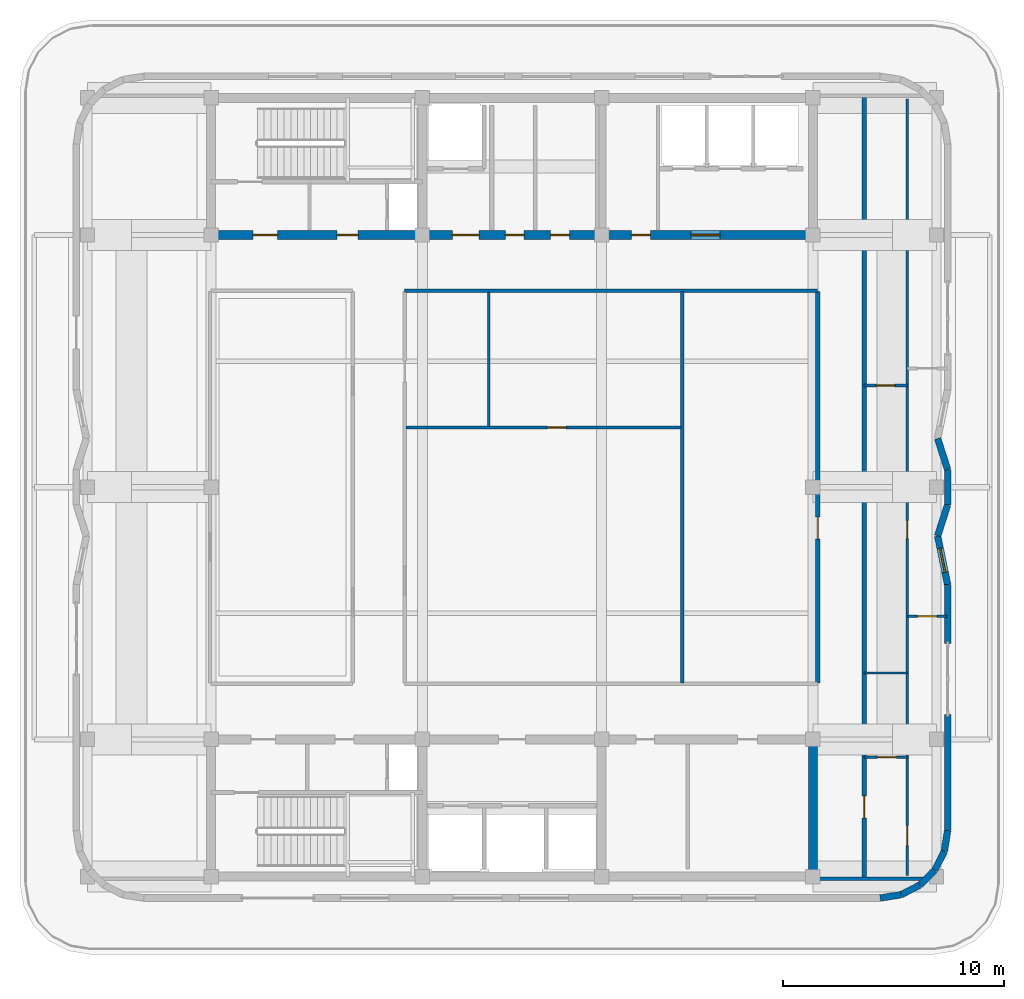
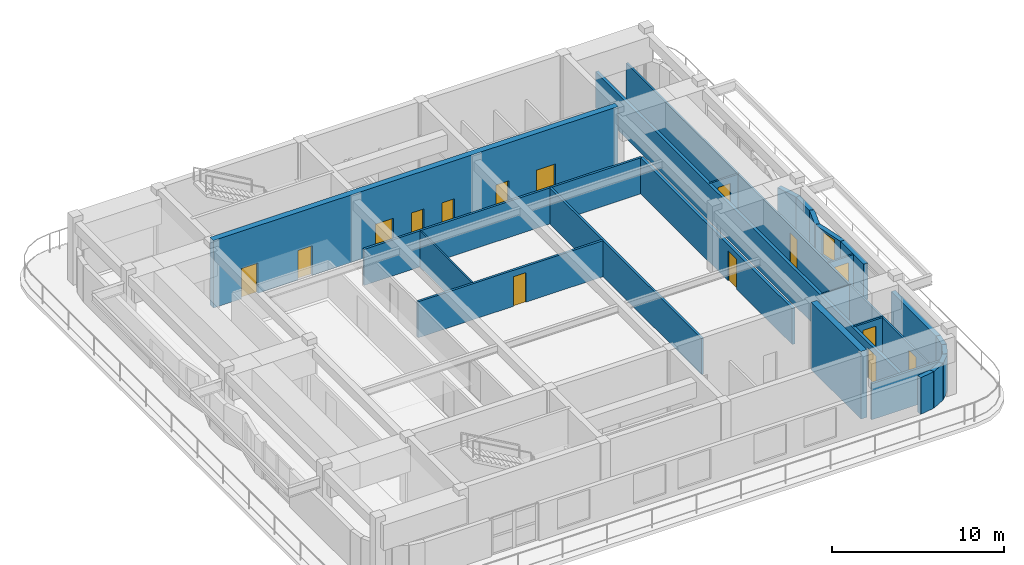
# One storey, part 7 of 12: 25 walls, 15 doors, 1 window, 16 openings.
"""IFC4 building model written with IfcOpenShell, lengths in metres."""

from ifc_helpers import new_model, si_unit, direction, frame, frame_2d, origin, place, context, subcontext, project, spatial, rectangle, extrude, material, layer, layer_set, type_object, element, fill, save


model = new_model("IFC4")

# Units and contexts
model_context = context("Model", 3, precision=1e-05, world=origin(), true_north=direction((0.0, 1.0)))
body_context = subcontext(model_context, "Body", "Model", "MODEL_VIEW")
ifc_project = project(units=[si_unit("LENGTHUNIT", "METRE"), si_unit("AREAUNIT", "SQUARE_METRE"), si_unit("VOLUMEUNIT", "CUBIC_METRE"), si_unit("PLANEANGLEUNIT", "RADIAN"), si_unit("MASSUNIT", "GRAM", prefix="KILO")], contexts=[model_context])

# Site, building, storey
site_placement = place(None, origin())
site = spatial("IfcSite", under=ifc_project, at=site_placement, CompositionType="ELEMENT")
building_placement = place(site_placement, origin())
building = spatial("IfcBuilding", under=site, at=building_placement, Name="Svetorya Sky Lyceum", CompositionType="ELEMENT")
storey_placement = place(building_placement, frame((0.0, 0.0, 297.199951171875)))
storey = spatial("IfcBuildingStorey", under=building, at=storey_placement, Name="L75", CompositionType="ELEMENT", Elevation=297.199951171875)

# Wall
ifc_material_1 = material(Name="Concrete C40/50", Category="concrete")
ifc_layer_1 = layer(ifc_material_1, 0.39990234375)
ifc_layer_set_1 = layer_set([ifc_layer_1], Name="Concrete C40/50")
wall_type_1 = type_object("IfcWallType", Name="WL-CORE-400", PredefinedType="SHEAR", material=ifc_layer_set_1)
wall_1_placement = place(storey_placement, frame((52.800048828125, 10.800048828125, 0.0), z_axis=(0.0, 0.0, 1.0), x_axis=(0.0, 1.0, 0.0)))
element("IfcWall", 1, at=wall_1_placement, inside=storey, type_object=wall_type_1, Name="L75 SC East Core Shear Wall", PredefinedType="SHEAR", context=body_context, shape_type="SweptSolid", body=[
    extrude(rectangle(XDim=5.800048828125, YDim=0.39990234375, at=frame_2d((2.89990234375, 0.0))), origin(), (0.0, 0.0, 1.0), 4.800048828125),
])

# Wall, openings, doors
wall_2_placement = place(storey_placement, frame((52.800048828125, 39.60009765625, 0.0), z_axis=(0.0, 0.0, 1.0), x_axis=(-1.0, 0.0, 0.0)))
wall_2 = element("IfcWall", 2, at=wall_2_placement, inside=storey, type_object=wall_type_1, Name="L75 NC Inner Core Shear Wall", PredefinedType="SHEAR", context=body_context, shape_type="SweptSolid", body=[
    extrude(rectangle(XDim=27.199951171875, YDim=0.39990234375, at=frame_2d((13.60009765625, 0.0))), origin(), (0.0, 0.0, 1.0), 4.800048828125),
])
opening_1_placement = place(wall_2_placement, frame((24.199951171875, 0.0, 0.0)))
opening_1 = element("IfcOpeningElement", 3, at=opening_1_placement, cuts=wall_2, Name="Opening D-ST1", PredefinedType="OPENING", context=body_context, shape_type="SweptSolid", body=[
    extrude(rectangle(XDim=1.10009765625, YDim=2.14990234375, at=frame_2d((0.550048828125, 1.074951171875))), frame((0.0, 0.2099609375, 0.0), z_axis=(0.0, -1.0, 0.0), x_axis=(1.0, 0.0, 0.0)), (0.0, 0.0, 1.0), 0.419921875),
])
opening_2_placement = place(wall_2_placement, frame((20.550048828125, 0.0, 0.0)))
opening_2 = element("IfcOpeningElement", 4, at=opening_2_placement, cuts=wall_2, Name="Opening D-CAC1", PredefinedType="OPENING", context=body_context, shape_type="SweptSolid", body=[
    extrude(rectangle(XDim=0.949951171875, YDim=2.10009765625, at=frame_2d((0.47509765625, 1.050048828125))), frame((0.0, 0.2099609375, 0.0), z_axis=(0.0, -1.0, 0.0), x_axis=(1.0, 0.0, 0.0)), (0.0, 0.0, 1.0), 0.419921875),
])
opening_3_placement = place(wall_2_placement, frame((15.10009765625, 0.0, 0.0)))
opening_3 = element("IfcOpeningElement", 5, at=opening_3_placement, cuts=wall_2, Name="Opening D-FL1", PredefinedType="OPENING", context=body_context, shape_type="SweptSolid", body=[
    extrude(rectangle(XDim=1.199951171875, YDim=2.14990234375, at=frame_2d((0.60009765625, 1.074951171875))), frame((0.0, 0.2099609375, 0.0), z_axis=(0.0, -1.0, 0.0), x_axis=(1.0, 0.0, 0.0)), (0.0, 0.0, 1.0), 0.419921875),
])
opening_4_placement = place(wall_2_placement, frame((13.050048828125, 0.0, 0.0)))
opening_4 = element("IfcOpeningElement", 6, at=opening_4_placement, cuts=wall_2, Name="Opening D-CWC1", PredefinedType="OPENING", context=body_context, shape_type="SweptSolid", body=[
    extrude(rectangle(XDim=0.85009765625, YDim=2.10009765625, at=frame_2d((0.425048828125, 1.050048828125))), frame((0.0, 0.2099609375, 0.0), z_axis=(0.0, -1.0, 0.0), x_axis=(1.0, 0.0, 0.0)), (0.0, 0.0, 1.0), 0.419921875),
])
opening_5_placement = place(wall_2_placement, frame((11.0, 0.0, 0.0)))
opening_5 = element("IfcOpeningElement", 7, at=opening_5_placement, cuts=wall_2, Name="Opening D-CWC1", PredefinedType="OPENING", context=body_context, shape_type="SweptSolid", body=[
    extrude(rectangle(XDim=0.85009765625, YDim=2.10009765625, at=frame_2d((0.425048828125, 1.050048828125))), frame((0.0, 0.2099609375, 0.0), z_axis=(0.0, -1.0, 0.0), x_axis=(1.0, 0.0, 0.0)), (0.0, 0.0, 1.0), 0.419921875),
])
opening_6_placement = place(wall_2_placement, frame((7.35009765625, 0.0, 0.0)))
opening_6 = element("IfcOpeningElement", 8, at=opening_6_placement, cuts=wall_2, Name="Opening D-CWC1", PredefinedType="OPENING", context=body_context, shape_type="SweptSolid", body=[
    extrude(rectangle(XDim=0.85009765625, YDim=2.10009765625, at=frame_2d((0.425048828125, 1.050048828125))), frame((0.0, 0.2099609375, 0.0), z_axis=(0.0, -1.0, 0.0), x_axis=(1.0, 0.0, 0.0)), (0.0, 0.0, 1.0), 0.419921875),
])
opening_7_placement = place(wall_2_placement, frame((4.199951171875, 0.0, 0.0)))
opening_7 = element("IfcOpeningElement", 9, at=opening_7_placement, cuts=wall_2, Name="Opening D-LB1", PredefinedType="OPENING", context=body_context, shape_type="SweptSolid", body=[
    extrude(rectangle(XDim=1.300048828125, YDim=2.199951171875, at=frame_2d((0.64990234375, 1.10009765625))), frame((0.0, 0.2099609375, 0.0), z_axis=(0.0, -1.0, 0.0), x_axis=(1.0, 0.0, 0.0)), (0.0, 0.0, 1.0), 0.419921875),
])
ifc_material_2 = material(Name="Fire-rated galvanized steel core accessible WC door", Category="steel")
door_type_1 = type_object("IfcDoorType", Name="DR-CACC-950", OperationType="SINGLE_SWING_LEFT", PredefinedType="DOOR", material=ifc_material_2)
door_1_placement = place(opening_2_placement, origin())
door_1 = element("IfcDoor", 10, at=door_1_placement, inside=storey, type_object=door_type_1, Name="L75 North Core Accessible WC Door", OperationType="SINGLE_SWING_RIGHT", OverallHeight=2.10009765625, OverallWidth=0.949951171875, PredefinedType="DOOR", context=body_context, shape_type="SweptSolid", body=[
    extrude(rectangle(XDim=0.949951171875, YDim=2.10009765625, at=frame_2d((0.47509765625, 1.050048828125))), frame((0.0, 0.02490234375, 0.0), z_axis=(0.0, -1.0, 0.0), x_axis=(1.0, 0.0, 0.0)), (0.0, 0.0, 1.0), 0.050048828125),
])
fill(opening_2, door_1)
ifc_material_3 = material(Name="Fire-rated galvanized steel core service closet door", Category="steel")
door_type_2 = type_object("IfcDoorType", Name="DR-CWET-850", OperationType="SINGLE_SWING_LEFT", PredefinedType="DOOR", material=ifc_material_3)
door_2_placement = place(opening_4_placement, origin())
door_2 = element("IfcDoor", 11, at=door_2_placement, inside=storey, type_object=door_type_2, Name="L75 Upper Linen Door", OperationType="SINGLE_SWING_LEFT", OverallHeight=2.10009765625, OverallWidth=0.85009765625, PredefinedType="DOOR", context=body_context, shape_type="SweptSolid", body=[
    extrude(rectangle(XDim=0.85009765625, YDim=2.10009765625, at=frame_2d((0.425048828125, 1.050048828125))), frame((0.0, 0.02490234375, 0.0), z_axis=(0.0, -1.0, 0.0), x_axis=(1.0, 0.0, 0.0)), (0.0, 0.0, 1.0), 0.050048828125),
])
fill(opening_4, door_2)
door_3_placement = place(opening_5_placement, origin())
door_3 = element("IfcDoor", 12, at=door_3_placement, inside=storey, type_object=door_type_2, Name="L75 Upper Laundry Door", OperationType="SINGLE_SWING_RIGHT", OverallHeight=2.10009765625, OverallWidth=0.85009765625, PredefinedType="DOOR", context=body_context, shape_type="SweptSolid", body=[
    extrude(rectangle(XDim=0.85009765625, YDim=2.10009765625, at=frame_2d((0.425048828125, 1.050048828125))), frame((0.0, 0.02490234375, 0.0), z_axis=(0.0, -1.0, 0.0), x_axis=(1.0, 0.0, 0.0)), (0.0, 0.0, 1.0), 0.050048828125),
])
fill(opening_5, door_3)
door_4_placement = place(opening_6_placement, origin())
door_4 = element("IfcDoor", 13, at=door_4_placement, inside=storey, type_object=door_type_2, Name="L75 High-Zone Utility Room Door", OperationType="SINGLE_SWING_LEFT", OverallHeight=2.10009765625, OverallWidth=0.85009765625, PredefinedType="DOOR", context=body_context, shape_type="SweptSolid", body=[
    extrude(rectangle(XDim=0.85009765625, YDim=2.10009765625, at=frame_2d((0.425048828125, 1.050048828125))), frame((0.0, 0.02490234375, 0.0), z_axis=(0.0, -1.0, 0.0), x_axis=(1.0, 0.0, 0.0)), (0.0, 0.0, 1.0), 0.050048828125),
])
fill(opening_6, door_4)
ifc_material_4 = material(Name="Powder-coated insulated galvanized stair fire door")
door_type_3 = type_object("IfcDoorType", Name="DR-FIRE-1100", OperationType="SINGLE_SWING_LEFT", PredefinedType="DOOR", material=ifc_material_4)
door_5_placement = place(opening_1_placement, origin())
door_5 = element("IfcDoor", 14, at=door_5_placement, inside=storey, type_object=door_type_3, Name="L75 North Stair Airlock Door", OperationType="SINGLE_SWING_LEFT", OverallHeight=2.14990234375, OverallWidth=1.10009765625, PredefinedType="DOOR", context=body_context, shape_type="SweptSolid", body=[
    extrude(rectangle(XDim=1.10009765625, YDim=2.14990234375, at=frame_2d((0.550048828125, 1.074951171875))), frame((0.0, 0.02490234375, 0.0), z_axis=(0.0, -1.0, 0.0), x_axis=(1.0, 0.0, 0.0)), (0.0, 0.0, 1.0), 0.050048828125),
])
fill(opening_1, door_5)
ifc_material_5 = material(Name="Powder-coated insulated galvanized fire door")
door_type_4 = type_object("IfcDoorType", Name="DR-FIRE-1200", OperationType="SINGLE_SWING_LEFT", PredefinedType="DOOR", material=ifc_material_5)
door_6_placement = place(opening_3_placement, origin())
door_6 = element("IfcDoor", 15, at=door_6_placement, inside=storey, type_object=door_type_4, Name="L75 North Firefighting Lift Lobby Door", OperationType="SINGLE_SWING_RIGHT", OverallHeight=2.14990234375, OverallWidth=1.199951171875, PredefinedType="DOOR", context=body_context, shape_type="SweptSolid", body=[
    extrude(rectangle(XDim=1.199951171875, YDim=2.14990234375, at=frame_2d((0.60009765625, 1.074951171875))), frame((0.0, 0.02490234375, 0.0), z_axis=(0.0, -1.0, 0.0), x_axis=(1.0, 0.0, 0.0)), (0.0, 0.0, 1.0), 0.050048828125),
])
fill(opening_3, door_6)
ifc_material_6 = material(Name="Glazed fire-rated aluminium lobby door", Category="aluminium")
door_type_5 = type_object("IfcDoorType", Name="DR-LOB-1300", OperationType="SINGLE_SWING_LEFT", PredefinedType="DOOR", material=ifc_material_6)
door_7_placement = place(opening_7_placement, origin())
door_7 = element("IfcDoor", 16, at=door_7_placement, inside=storey, type_object=door_type_5, Name="L75 North Passenger Lift Lobby Door", OperationType="SINGLE_SWING_LEFT", OverallHeight=2.199951171875, OverallWidth=1.300048828125, PredefinedType="DOOR", context=body_context, shape_type="SweptSolid", body=[
    extrude(rectangle(XDim=1.300048828125, YDim=2.199951171875, at=frame_2d((0.64990234375, 1.10009765625))), frame((0.0, 0.02490234375, 0.0), z_axis=(0.0, -1.0, 0.0), x_axis=(1.0, 0.0, 0.0)), (0.0, 0.0, 1.0), 0.050048828125),
])
fill(opening_7, door_7)

# Walls
ifc_material_7 = material(Name="Putilovo limestone rainscreen on autoclaved cellular masonry", Category="masonry")
ifc_layer_2 = layer(ifc_material_7, 0.300048828125)
ifc_layer_set_2 = layer_set([ifc_layer_2], Name="Putilovo limestone rainscreen on autoclaved cellular masonry")
wall_type_2 = type_object("IfcWallType", Name="WL-EXT-300", PredefinedType="SOLIDWALL", material=ifc_layer_set_2)
wall_3_placement = place(storey_placement, frame((55.840087890625, 9.6298828125, 0.0), z_axis=(0.0, 0.0, 1.0), x_axis=(0.987663181641, 0.156593229835, 0.0)))
element("IfcWall", 17, at=wall_3_placement, inside=storey, type_object=wall_type_2, Name="L75 Limestone Exterior Wall 7M", PredefinedType="SOLIDWALL", context=body_context, shape_type="SweptSolid", body=[
    extrude(rectangle(XDim=0.9541015625, YDim=0.300048828125, at=frame_2d((0.47705078125, 0.0))), origin(), (0.0, 0.0, 1.0), 2.60009765625),
])
for number, where, z_axis, x_axis, name in (
    (18, (56.782470703125, 9.779296875, 0.0), (0.0, 0.0, 1.0), (0.891076589373, 0.453852962833, 0.0), "L75 Limestone Exterior Wall 8M"),
    (19, (57.6328125, 10.21240234375, 0.0), (0.0, 0.0, 1.0), (0.707106781187, 0.707106781187, 0.0), "L75 Limestone Exterior Wall 9M"),
    (20, (58.3076171875, 10.88720703125, 0.0), (0.0, 0.0, 1.0), (0.453852962833, 0.891076589373, 0.0), "L75 Limestone Exterior Wall 10M"),
):
    element("IfcWall", number, at=place(storey_placement, frame(where, z_axis=z_axis, x_axis=x_axis)), inside=storey, type_object=wall_type_2, Name=name, PredefinedType="SOLIDWALL", context=body_context, shape_type="SweptSolid", body=[
        extrude(rectangle(XDim=0.954345703125, YDim=0.300048828125, at=frame_2d((0.47705078125, 0.0))), origin(), (0.0, 0.0, 1.0), 2.60009765625),
    ])
wall_4_placement = place(storey_placement, frame((58.74072265625, 11.737548828125, 0.0), z_axis=(0.0, 0.0, 1.0), x_axis=(0.156343617883, 0.987702725088, 0.0)))
element("IfcWall", 21, at=wall_4_placement, inside=storey, type_object=wall_type_2, Name="L75 Limestone Exterior Wall 11M", PredefinedType="SOLIDWALL", context=body_context, shape_type="SweptSolid", body=[
    extrude(rectangle(XDim=0.9541015625, YDim=0.300048828125, at=frame_2d((0.47705078125, 0.0))), origin(), (0.0, 0.0, 1.0), 2.60009765625),
])
wall_5_placement = place(storey_placement, frame((58.889892578125, 12.679931640625, 0.0), z_axis=(0.0, 0.0, 1.0), x_axis=(0.0, 1.0, 0.0)))
element("IfcWall", 22, at=wall_5_placement, inside=storey, type_object=wall_type_2, Name="L75 Limestone Exterior Wall 12A", PredefinedType="SOLIDWALL", context=body_context, shape_type="SweptSolid", body=[
    extrude(rectangle(XDim=5.25, YDim=0.300048828125, at=frame_2d((2.625, 0.0))), origin(), (0.0, 0.0, 1.0), 2.60009765625),
])
wall_6_placement = place(storey_placement, frame((58.889892578125, 21.1298828125, 0.0), z_axis=(0.0, 0.0, 1.0), x_axis=(0.0, 1.0, 0.0)))
element("IfcWall", 23, at=wall_6_placement, inside=storey, type_object=wall_type_2, Name="L75 Limestone Exterior Wall 12B", PredefinedType="SOLIDWALL", context=body_context, shape_type="SweptSolid", body=[
    extrude(rectangle(XDim=2.670166015625, YDim=0.300048828125, at=frame_2d((1.3349609375, 0.0))), origin(), (0.0, 0.0, 1.0), 2.60009765625),
])

# Wall, opening, window
wall_7_placement = place(storey_placement, frame((58.889892578125, 23.800048828125, 0.0), z_axis=(0.0, 0.0, 1.0), x_axis=(-0.200379633636, 0.979718328104, 0.0)))
wall_7 = element("IfcWall", 24, at=wall_7_placement, inside=storey, type_object=wall_type_2, Name="L75 Limestone Exterior Wall 13M", PredefinedType="SOLIDWALL", context=body_context, shape_type="SweptSolid", body=[
    extrude(rectangle(XDim=2.24560546875, YDim=0.300048828125, at=frame_2d((1.122802734375, 0.0))), origin(), (0.0, 0.0, 1.0), 2.60009765625),
])
opening_8_placement = place(wall_7_placement, frame((0.57275390625, 0.0, 0.7900390625)))
opening_8 = element("IfcOpeningElement", 25, at=opening_8_placement, cuts=wall_7, Name="Opening W-R3", PredefinedType="OPENING", context=body_context, shape_type="SweptSolid", body=[
    extrude(rectangle(XDim=1.10009765625, YDim=1.64990234375, at=frame_2d((0.550048828125, 0.824951171875))), frame((0.0, 0.159912109375, 0.0), z_axis=(0.0, -1.0, 0.0), x_axis=(1.0, 0.0, 0.0)), (0.0, 0.0, 1.0), 0.320068359375),
])
ifc_material_8 = material(Name="Thermally broken aluminium frame with triple low-E glazing", Category="aluminium")
window_type = type_object("IfcWindowType", Name="WN-RES-110", PartitioningType="SINGLE_PANEL", PredefinedType="WINDOW", material=ifc_material_8)
window_placement = place(opening_8_placement, origin())
window = element("IfcWindow", 26, at=window_placement, inside=storey, type_object=window_type, Name="L75 Facade Window W-R3.13M.1", OverallHeight=1.64990234375, OverallWidth=1.10009765625, PartitioningType="SINGLE_PANEL", PredefinedType="WINDOW", context=body_context, shape_type="SweptSolid", body=[
    extrude(rectangle(XDim=1.10009765625, YDim=1.64990234375, at=frame_2d((0.550048828125, 0.824951171875))), frame((0.0, 0.030029296875, 0.0), z_axis=(0.0, -1.0, 0.0), x_axis=(1.0, 0.0, 0.0)), (0.0, 0.0, 1.0), 0.06005859375),
])
fill(opening_8, window)

# Walls
wall_8_placement = place(storey_placement, frame((58.43994140625, 26.0, 0.0), z_axis=(0.0, 0.0, 1.0), x_axis=(0.30599843145, 0.952032016242, 0.0)))
element("IfcWall", 27, at=wall_8_placement, inside=storey, type_object=wall_type_2, Name="L75 Limestone Exterior Wall 14M", PredefinedType="SOLIDWALL", context=body_context, shape_type="SweptSolid", body=[
    extrude(rectangle(XDim=1.470458984375, YDim=0.300048828125, at=frame_2d((0.7353515625, 0.0))), origin(), (0.0, 0.0, 1.0), 2.60009765625),
])
wall_9_placement = place(storey_placement, frame((58.889892578125, 27.39990234375, 0.0), z_axis=(0.0, 0.0, 1.0), x_axis=(0.0, 1.0, 0.0)))
element("IfcWall", 28, at=wall_9_placement, inside=storey, type_object=wall_type_2, Name="L75 Limestone Exterior Wall 15M", PredefinedType="SOLIDWALL", context=body_context, shape_type="SweptSolid", body=[
    extrude(rectangle(XDim=1.60009765625, YDim=0.300048828125, at=frame_2d((0.800048828125, 0.0))), origin(), (0.0, 0.0, 1.0), 2.60009765625),
])
wall_10_placement = place(storey_placement, frame((58.889892578125, 29.0, 0.0), z_axis=(0.0, 0.0, 1.0), x_axis=(-0.30599843145, 0.952032016242, 0.0)))
element("IfcWall", 29, at=wall_10_placement, inside=storey, type_object=wall_type_2, Name="L75 Limestone Exterior Wall 16M", PredefinedType="SOLIDWALL", context=body_context, shape_type="SweptSolid", body=[
    extrude(rectangle(XDim=1.470458984375, YDim=0.300048828125, at=frame_2d((0.7353515625, 0.0))), origin(), (0.0, 0.0, 1.0), 2.60009765625),
])
ifc_material_9 = material(Name="Galvanized stud partition with moisture-resistant board", Category="gypsum")
ifc_layer_3 = layer(ifc_material_9, 0.10009765625)
ifc_layer_set_3 = layer_set([ifc_layer_3], Name="Galvanized stud partition with moisture-resistant board")
wall_type_3 = type_object("IfcWallType", Name="WL-PART-100", PredefinedType="PARTITIONING", material=ifc_layer_set_3)
wall_11_placement = place(storey_placement, frame((38.14990234375, 30.949951171875, 0.0), z_axis=(0.0, 0.0, 1.0), x_axis=(0.0, 1.0, 0.0)))
element("IfcWall", 30, at=wall_11_placement, inside=storey, type_object=wall_type_3, Name="L75 Interior Partition OBS-WD", PredefinedType="PARTITIONING", context=body_context, shape_type="SweptSolid", body=[
    extrude(rectangle(XDim=6.070068359375, YDim=0.10009765625, at=frame_2d((3.03515625, 0.0))), origin(), (0.0, 0.0, 1.0), 2.56005859375),
])
wall_12_placement = place(storey_placement, frame((55.1201171875, 19.800048828125, 0.0), z_axis=(0.0, 0.0, 1.0), x_axis=(1.0, 0.0, 0.0)))
element("IfcWall", 31, at=wall_12_placement, inside=storey, type_object=wall_type_3, Name="L75 Interior Partition PH1-WH2", PredefinedType="PARTITIONING", context=body_context, shape_type="SweptSolid", body=[
    extrude(rectangle(XDim=1.949951171875, YDim=0.10009765625, at=frame_2d((0.97509765625, 0.0))), origin(), (0.0, 0.0, 1.0), 2.56005859375),
])

# Wall, opening, door
ifc_material_10 = material(Name="Twin-stud galvanized framing with double fireboard", Category="gypsum")
ifc_layer_4 = layer(ifc_material_10, 0.1201171875)
ifc_layer_set_4 = layer_set([ifc_layer_4], Name="Twin-stud galvanized framing with double fireboard")
wall_type_4 = type_object("IfcWallType", Name="WL-PART-120", PredefinedType="PARTITIONING", material=ifc_layer_set_4)
wall_13_placement = place(storey_placement, frame((55.1201171875, 16.0, 0.0), z_axis=(0.0, 0.0, 1.0), x_axis=(1.0, 0.0, 0.0)))
wall_13 = element("IfcWall", 32, at=wall_13_placement, inside=storey, type_object=wall_type_4, Name="L75 Interior Partition PH1-WH1", PredefinedType="PARTITIONING", context=body_context, shape_type="SweptSolid", body=[
    extrude(rectangle(XDim=1.949951171875, YDim=0.1201171875, at=frame_2d((0.97509765625, 0.0))), origin(), (0.0, 0.0, 1.0), 2.56005859375),
])
opening_9_placement = place(wall_13_placement, frame((0.60009765625, 0.0, 0.0)))
opening_9 = element("IfcOpeningElement", 33, at=opening_9_placement, cuts=wall_13, Name="Opening D-BT1", PredefinedType="OPENING", context=body_context, shape_type="SweptSolid", body=[
    extrude(rectangle(XDim=0.85009765625, YDim=2.10009765625, at=frame_2d((0.425048828125, 1.050048828125))), frame((0.0, 0.070068359375, 0.0), z_axis=(0.0, -1.0, 0.0), x_axis=(1.0, 0.0, 0.0)), (0.0, 0.0, 1.0), 0.14013671875),
])
ifc_material_11 = material(Name="Moisture-resistant laminate bathroom door")
door_type_6 = type_object("IfcDoorType", Name="DR-WET-850", OperationType="SINGLE_SWING_LEFT", PredefinedType="DOOR", material=ifc_material_11)
door_8_placement = place(opening_9_placement, origin())
door_8 = element("IfcDoor", 34, at=door_8_placement, inside=storey, type_object=door_type_6, Name="Apartment PH1 Bathroom Door", OperationType="SINGLE_SWING_LEFT", OverallHeight=2.10009765625, OverallWidth=0.85009765625, PredefinedType="DOOR", context=body_context, shape_type="SweptSolid", body=[
    extrude(rectangle(XDim=0.85009765625, YDim=2.10009765625, at=frame_2d((0.425048828125, 1.050048828125))), frame((0.0, 0.02490234375, 0.0), z_axis=(0.0, -1.0, 0.0), x_axis=(1.0, 0.0, 0.0)), (0.0, 0.0, 1.0), 0.050048828125),
])
fill(opening_9, door_8)

wall_14_placement = place(storey_placement, frame((55.1201171875, 32.800048828125, 0.0), z_axis=(0.0, 0.0, 1.0), x_axis=(1.0, 0.0, 0.0)))
wall_14 = element("IfcWall", 35, at=wall_14_placement, inside=storey, type_object=wall_type_4, Name="L75 Interior Partition PH1-WH3", PredefinedType="PARTITIONING", context=body_context, shape_type="SweptSolid", body=[
    extrude(rectangle(XDim=1.949951171875, YDim=0.1201171875, at=frame_2d((0.97509765625, 0.0))), origin(), (0.0, 0.0, 1.0), 2.56005859375),
])
opening_10_placement = place(wall_14_placement, frame((0.550048828125, 0.0, 0.0)))
opening_10 = element("IfcOpeningElement", 36, at=opening_10_placement, cuts=wall_14, Name="Opening D-BT2", PredefinedType="OPENING", context=body_context, shape_type="SweptSolid", body=[
    extrude(rectangle(XDim=0.820068359375, YDim=2.080078125, at=frame_2d((0.41015625, 1.0400390625))), frame((0.0, 0.070068359375, 0.0), z_axis=(0.0, -1.0, 0.0), x_axis=(1.0, 0.0, 0.0)), (0.0, 0.0, 1.0), 0.14013671875),
])
ifc_material_12 = material(Name="Compact moisture-resistant laminate closet door")
door_type_7 = type_object("IfcDoorType", Name="DR-WET-820", OperationType="SINGLE_SWING_LEFT", PredefinedType="DOOR", material=ifc_material_12)
door_9_placement = place(opening_10_placement, origin())
door_9 = element("IfcDoor", 37, at=door_9_placement, inside=storey, type_object=door_type_7, Name="Apartment PH1 Laundry Door", OperationType="SINGLE_SWING_RIGHT", OverallHeight=2.080078125, OverallWidth=0.820068359375, PredefinedType="DOOR", context=body_context, shape_type="SweptSolid", body=[
    extrude(rectangle(XDim=0.820068359375, YDim=2.080078125, at=frame_2d((0.41015625, 1.0400390625))), frame((0.0, 0.02490234375, 0.0), z_axis=(0.0, -1.0, 0.0), x_axis=(1.0, 0.0, 0.0)), (0.0, 0.0, 1.0), 0.050048828125),
])
fill(opening_10, door_9)

wall_15_placement = place(storey_placement, frame((57.070068359375, 22.3701171875, 0.0), z_axis=(0.0, 0.0, 1.0), x_axis=(1.0, 0.0, 0.0)))
wall_15 = element("IfcWall", 38, at=wall_15_placement, inside=storey, type_object=wall_type_4, Name="L75 Interior Partition PH1-WL1", PredefinedType="PARTITIONING", context=body_context, shape_type="SweptSolid", body=[
    extrude(rectangle(XDim=1.800048828125, YDim=0.1201171875, at=frame_2d((0.89990234375, 0.0))), origin(), (0.0, 0.0, 1.0), 2.56005859375),
])
opening_11_placement = place(wall_15_placement, frame((0.449951171875, 0.0, 0.0)))
opening_11 = element("IfcOpeningElement", 39, at=opening_11_placement, cuts=wall_15, Name="Opening D-RM1", PredefinedType="OPENING", context=body_context, shape_type="SweptSolid", body=[
    extrude(rectangle(XDim=0.89990234375, YDim=2.10009765625, at=frame_2d((0.449951171875, 1.050048828125))), frame((0.0, 0.070068359375, 0.0), z_axis=(0.0, -1.0, 0.0), x_axis=(1.0, 0.0, 0.0)), (0.0, 0.0, 1.0), 0.14013671875),
])
ifc_material_13 = material(Name="Lacquered birch veneer internal door")
door_type_8 = type_object("IfcDoorType", Name="DR-INT-900", OperationType="SINGLE_SWING_LEFT", PredefinedType="DOOR", material=ifc_material_13)
door_10_placement = place(opening_11_placement, origin())
door_10 = element("IfcDoor", 40, at=door_10_placement, inside=storey, type_object=door_type_8, Name="Apartment PH1 Master Bedroom Door", OperationType="SINGLE_SWING_LEFT", OverallHeight=2.10009765625, OverallWidth=0.89990234375, PredefinedType="DOOR", context=body_context, shape_type="SweptSolid", body=[
    extrude(rectangle(XDim=0.89990234375, YDim=2.10009765625, at=frame_2d((0.449951171875, 1.050048828125))), frame((0.0, 0.02490234375, 0.0), z_axis=(0.0, -1.0, 0.0), x_axis=(1.0, 0.0, 0.0)), (0.0, 0.0, 1.0), 0.050048828125),
])
fill(opening_11, door_10)

# Wall, openings, doors
wall_16_placement = place(storey_placement, frame((57.070068359375, 10.639892578125, 0.0), z_axis=(0.0, 0.0, 1.0), x_axis=(0.0, 1.0, 0.0)))
wall_16 = element("IfcWall", 41, at=wall_16_placement, inside=storey, type_object=wall_type_4, Name="L75 Interior Partition PH1-WV", PredefinedType="PARTITIONING", context=body_context, shape_type="SweptSolid", body=[
    extrude(rectangle(XDim=35.1201171875, YDim=0.1201171875, at=frame_2d((17.56005859375, 0.0))), origin(), (0.0, 0.0, 1.0), 2.56005859375),
])
opening_12_placement = place(wall_16_placement, frame((1.360107421875, 0.0, 0.0)))
opening_12 = element("IfcOpeningElement", 42, at=opening_12_placement, cuts=wall_16, Name="Opening D-RM1", PredefinedType="OPENING", context=body_context, shape_type="SweptSolid", body=[
    extrude(rectangle(XDim=0.89990234375, YDim=2.10009765625, at=frame_2d((0.449951171875, 1.050048828125))), frame((0.0, 0.070068359375, 0.0), z_axis=(0.0, -1.0, 0.0), x_axis=(1.0, 0.0, 0.0)), (0.0, 0.0, 1.0), 0.14013671875),
])
opening_13_placement = place(wall_16_placement, frame((15.235107421875, 0.0, 0.0)))
opening_13 = element("IfcOpeningElement", 43, at=opening_13_placement, cuts=wall_16, Name="Opening D-BT2", PredefinedType="OPENING", context=body_context, shape_type="SweptSolid", body=[
    extrude(rectangle(XDim=0.820068359375, YDim=2.080078125, at=frame_2d((0.41015625, 1.0400390625))), frame((0.0, 0.070068359375, 0.0), z_axis=(0.0, -1.0, 0.0), x_axis=(1.0, 0.0, 0.0)), (0.0, 0.0, 1.0), 0.14013671875),
])
door_11_placement = place(opening_12_placement, origin())
door_11 = element("IfcDoor", 44, at=door_11_placement, inside=storey, type_object=door_type_8, Name="Apartment PH1 Living Door", OperationType="SINGLE_SWING_RIGHT", OverallHeight=2.10009765625, OverallWidth=0.89990234375, PredefinedType="DOOR", context=body_context, shape_type="SweptSolid", body=[
    extrude(rectangle(XDim=0.89990234375, YDim=2.10009765625, at=frame_2d((0.449951171875, 1.050048828125))), frame((0.0, 0.02490234375, 0.0), z_axis=(0.0, -1.0, 0.0), x_axis=(1.0, 0.0, 0.0)), (0.0, 0.0, 1.0), 0.050048828125),
])
fill(opening_12, door_11)
door_12_placement = place(opening_13_placement, origin())
door_12 = element("IfcDoor", 45, at=door_12_placement, inside=storey, type_object=door_type_7, Name="Apartment PH1 Study Door", OperationType="SINGLE_SWING_LEFT", OverallHeight=2.080078125, OverallWidth=0.820068359375, PredefinedType="DOOR", context=body_context, shape_type="SweptSolid", body=[
    extrude(rectangle(XDim=0.820068359375, YDim=2.080078125, at=frame_2d((0.41015625, 1.0400390625))), frame((0.0, 0.02490234375, 0.0), z_axis=(0.0, -1.0, 0.0), x_axis=(1.0, 0.0, 0.0)), (0.0, 0.0, 1.0), 0.050048828125),
])
fill(opening_13, door_12)

# Wall, opening, door
ifc_material_14 = material(Name="Autoclaved cellular masonry blockwork with acoustic render", Category="masonry")
ifc_layer_5 = layer(ifc_material_14, 0.14990234375)
ifc_layer_set_5 = layer_set([ifc_layer_5], Name="Autoclaved cellular masonry blockwork with acoustic render")
wall_type_5 = type_object("IfcWallType", Name="WL-PART-150", PredefinedType="PARTITIONING", material=ifc_layer_set_5)
wall_17_placement = place(storey_placement, frame((34.39990234375, 30.89990234375, 0.0), z_axis=(0.0, 0.0, 1.0), x_axis=(1.0, 0.0, 0.0)))
wall_17 = element("IfcWall", 46, at=wall_17_placement, inside=storey, type_object=wall_type_5, Name="L75 Interior Partition OBS-CW", PredefinedType="PARTITIONING", context=body_context, shape_type="SweptSolid", body=[
    extrude(rectangle(XDim=12.4501953125, YDim=0.14990234375, at=frame_2d((6.22509765625, 0.0))), origin(), (0.0, 0.0, 1.0), 2.56005859375),
])
opening_14_placement = place(wall_17_placement, frame((6.39990234375, 0.0, 0.0)))
opening_14 = element("IfcOpeningElement", 47, at=opening_14_placement, cuts=wall_17, Name="Opening D-BT1", PredefinedType="OPENING", context=body_context, shape_type="SweptSolid", body=[
    extrude(rectangle(XDim=0.85009765625, YDim=2.10009765625, at=frame_2d((0.425048828125, 1.050048828125))), frame((0.0, 0.0849609375, 0.0), z_axis=(0.0, -1.0, 0.0), x_axis=(1.0, 0.0, 0.0)), (0.0, 0.0, 1.0), 0.169921875),
])
door_13_placement = place(opening_14_placement, origin())
door_13 = element("IfcDoor", 48, at=door_13_placement, inside=storey, type_object=door_type_6, Name="Observatory Store Door", OperationType="SINGLE_SWING_LEFT", OverallHeight=2.10009765625, OverallWidth=0.85009765625, PredefinedType="DOOR", context=body_context, shape_type="SweptSolid", body=[
    extrude(rectangle(XDim=0.85009765625, YDim=2.10009765625, at=frame_2d((0.425048828125, 1.050048828125))), frame((0.0, 0.02490234375, 0.0), z_axis=(0.0, -1.0, 0.0), x_axis=(1.0, 0.0, 0.0)), (0.0, 0.0, 1.0), 0.050048828125),
])
fill(opening_14, door_13)

# Walls
wall_18_placement = place(storey_placement, frame((46.89990234375, 19.35009765625, 0.0), z_axis=(0.0, 0.0, 1.0), x_axis=(0.0, 1.0, 0.0)))
element("IfcWall", 49, at=wall_18_placement, inside=storey, type_object=wall_type_5, Name="L75 Interior Partition OBS-VW", PredefinedType="PARTITIONING", context=body_context, shape_type="SweptSolid", body=[
    extrude(rectangle(XDim=17.699951171875, YDim=0.14990234375, at=frame_2d((8.85009765625, 0.0))), origin(), (0.0, 0.0, 1.0), 2.56005859375),
])
wall_19_placement = place(storey_placement, frame((34.35009765625, 37.080078125, 0.0), z_axis=(0.0, 0.0, 1.0), x_axis=(1.0, 0.0, 0.0)))
element("IfcWall", 50, at=wall_19_placement, inside=storey, type_object=wall_type_5, Name="L75 Interior Partition OBS-CN", PredefinedType="PARTITIONING", context=body_context, shape_type="SweptSolid", body=[
    extrude(rectangle(XDim=18.669921875, YDim=0.14990234375, at=frame_2d((9.3349609375, 0.0))), origin(), (0.0, 0.0, 1.0), 2.56005859375),
])
wall_20_placement = place(storey_placement, frame((53.10009765625, 10.5, 0.0), z_axis=(0.0, 0.0, 1.0), x_axis=(1.0, 0.0, 0.0)))
element("IfcWall", 51, at=wall_20_placement, inside=storey, type_object=wall_type_5, Name="L75 Interior Partition OBS-ES", PredefinedType="PARTITIONING", context=body_context, shape_type="SweptSolid", body=[
    extrude(rectangle(XDim=4.859619140625, YDim=0.14990234375, at=frame_2d((2.4296875, 0.0))), origin(), (0.0, 0.0, 1.0), 2.56005859375),
])

# Wall, opening, door
ifc_material_15 = material(Name="Autoclaved cellular masonry blockwork with gypsum plaster", Category="masonry")
ifc_layer_6 = layer(ifc_material_15, 0.199951171875)
ifc_layer_set_6 = layer_set([ifc_layer_6], Name="Autoclaved cellular masonry blockwork with gypsum plaster")
wall_type_6 = type_object("IfcWallType", Name="WL-PART-200", PredefinedType="PARTITIONING", material=ifc_layer_set_6)
wall_21_placement = place(storey_placement, frame((53.02001953125, 19.35009765625, 0.0), z_axis=(0.0, 0.0, 1.0), x_axis=(0.0, 1.0, 0.0)))
wall_21 = element("IfcWall", 52, at=wall_21_placement, inside=storey, type_object=wall_type_6, Name="L75 Interior Partition OBS-VE", PredefinedType="PARTITIONING", context=body_context, shape_type="SweptSolid", body=[
    extrude(rectangle(XDim=17.699951171875, YDim=0.199951171875, at=frame_2d((8.85009765625, 0.0))), origin(), (0.0, 0.0, 1.0), 2.56005859375),
])
opening_15_placement = place(wall_21_placement, frame((6.5, 0.0, 0.0)))
opening_15 = element("IfcOpeningElement", 53, at=opening_15_placement, cuts=wall_21, Name="Opening D-RM2", PredefinedType="OPENING", context=body_context, shape_type="SweptSolid", body=[
    extrude(rectangle(XDim=1.0, YDim=2.14990234375, at=frame_2d((0.5, 1.074951171875))), frame((0.0, 0.10986328125, 0.0), z_axis=(0.0, -1.0, 0.0), x_axis=(1.0, 0.0, 0.0)), (0.0, 0.0, 1.0), 0.219970703125),
])
ifc_material_16 = material(Name="Solid-core oak acoustic room door")
door_type_9 = type_object("IfcDoorType", Name="DR-INT-1000", OperationType="SINGLE_SWING_LEFT", PredefinedType="DOOR", material=ifc_material_16)
door_14_placement = place(opening_15_placement, origin())
door_14 = element("IfcDoor", 54, at=door_14_placement, inside=storey, type_object=door_type_9, Name="Astronomy Lounge Door", OperationType="SINGLE_SWING_LEFT", OverallHeight=2.14990234375, OverallWidth=1.0, PredefinedType="DOOR", context=body_context, shape_type="SweptSolid", body=[
    extrude(rectangle(XDim=1.0, YDim=2.14990234375, at=frame_2d((0.5, 1.074951171875))), frame((0.0, 0.02490234375, 0.0), z_axis=(0.0, -1.0, 0.0), x_axis=(1.0, 0.0, 0.0)), (0.0, 0.0, 1.0), 0.050048828125),
])
fill(opening_15, door_14)

wall_22_placement = place(storey_placement, frame((55.1201171875, 10.5, 0.0), z_axis=(0.0, 0.0, 1.0), x_axis=(0.0, 1.0, 0.0)))
wall_22 = element("IfcWall", 55, at=wall_22_placement, inside=storey, type_object=wall_type_6, Name="L75 Interior Partition OBS-PHW", PredefinedType="PARTITIONING", context=body_context, shape_type="SweptSolid", body=[
    extrude(rectangle(XDim=35.39990234375, YDim=0.199951171875, at=frame_2d((17.699951171875, 0.0))), origin(), (0.0, 0.0, 1.0), 2.56005859375),
])
opening_16_placement = place(wall_22_placement, frame((2.75, 0.0, 0.0)))
opening_16 = element("IfcOpeningElement", 56, at=opening_16_placement, cuts=wall_22, Name="Opening D-APT1", PredefinedType="OPENING", context=body_context, shape_type="SweptSolid", body=[
    extrude(rectangle(XDim=1.0, YDim=2.14990234375, at=frame_2d((0.5, 1.074951171875))), frame((0.0, 0.10986328125, 0.0), z_axis=(0.0, -1.0, 0.0), x_axis=(1.0, 0.0, 0.0)), (0.0, 0.0, 1.0), 0.219970703125),
])
ifc_material_17 = material(Name="Insulated oak-veneered apartment entrance door")
door_type_10 = type_object("IfcDoorType", Name="DR-APT-1000", OperationType="SINGLE_SWING_LEFT", PredefinedType="DOOR", material=ifc_material_17)
door_15_placement = place(opening_16_placement, origin())
door_15 = element("IfcDoor", 57, at=door_15_placement, inside=storey, type_object=door_type_10, Name="Penthouse PH1 Entrance Door", OperationType="SINGLE_SWING_LEFT", OverallHeight=2.14990234375, OverallWidth=1.0, PredefinedType="DOOR", context=body_context, shape_type="SweptSolid", body=[
    extrude(rectangle(XDim=1.0, YDim=2.14990234375, at=frame_2d((0.5, 1.074951171875))), frame((0.0, 0.02490234375, 0.0), z_axis=(0.0, -1.0, 0.0), x_axis=(1.0, 0.0, 0.0)), (0.0, 0.0, 1.0), 0.050048828125),
])
fill(opening_16, door_15)

save(model, "model.ifc")
